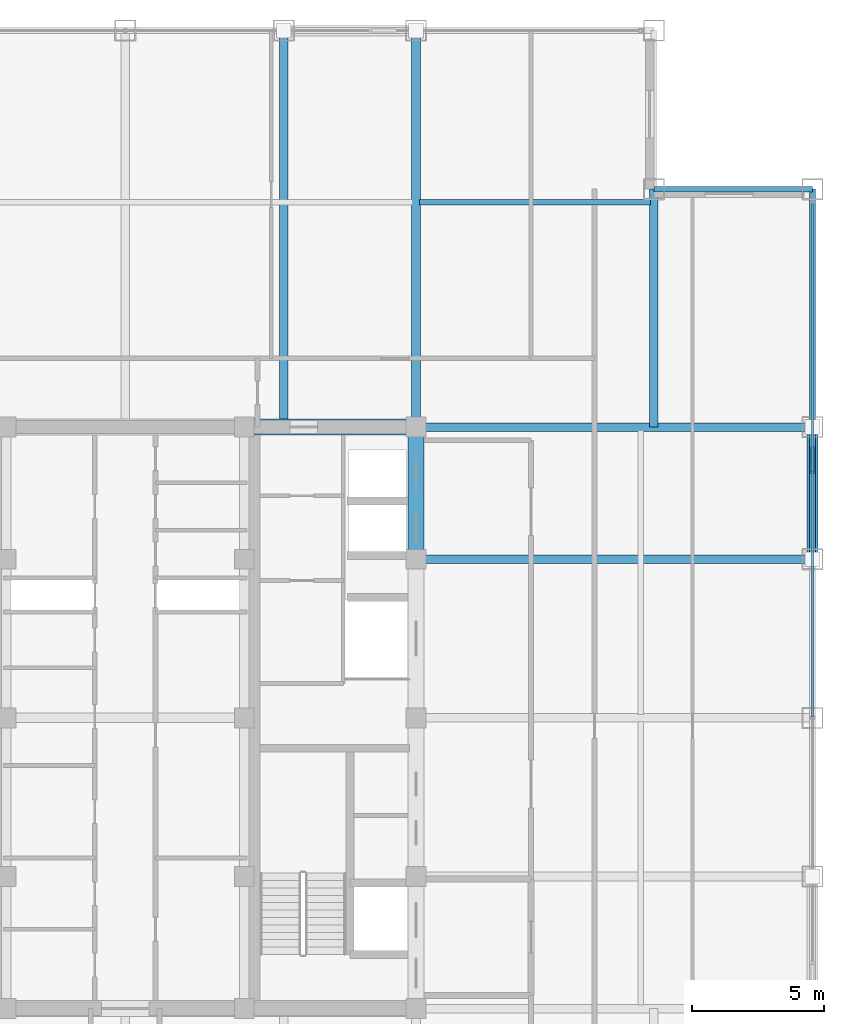
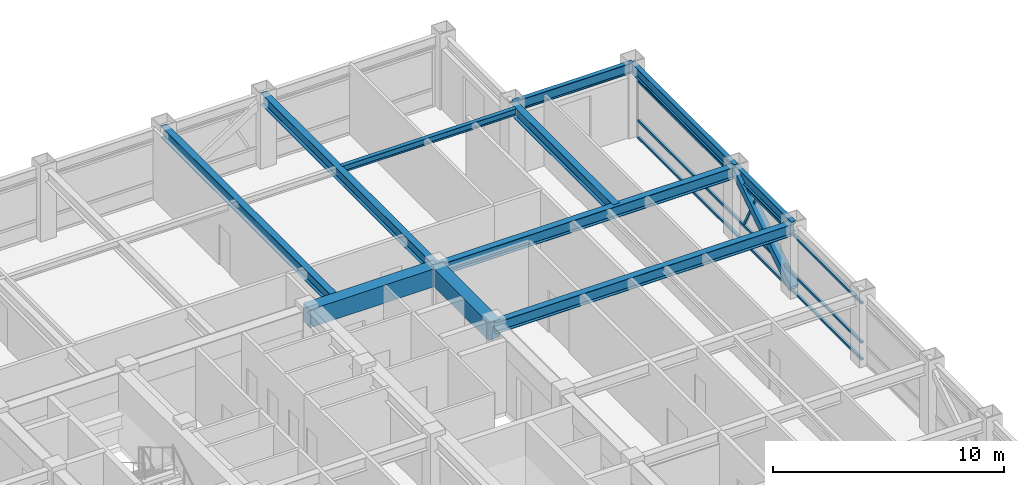
# One storey, part 19 of 28: 11 beams, 5 members, 1 element without a shape of its own.
"""IFC4 building model written with IfcOpenShell, lengths in metres."""

from ifc_helpers import new_model, si_unit, direction, frame, origin, origin_2d, place, context, subcontext, project, spatial, rectangle, hollow_rectangle, i_section, extrude, source, transform, mapped, material, material_profile, profile_set, type_object, element, aggregate, save


model = new_model("IFC4")

# Units and contexts
model_context = context("Model", 3, precision=1e-05, world=origin(), true_north=direction((0.0, 1.0)))
body_context = subcontext(model_context, "Body", "Model", "MODEL_VIEW")
ifc_project = project(units=[si_unit("LENGTHUNIT", "METRE"), si_unit("AREAUNIT", "SQUARE_METRE"), si_unit("VOLUMEUNIT", "CUBIC_METRE"), si_unit("PLANEANGLEUNIT", "RADIAN"), si_unit("MASSUNIT", "GRAM", prefix="KILO")], contexts=[model_context])

# Site, building, storey
site_placement = place(None, origin())
site = spatial("IfcSite", under=ifc_project, at=site_placement, CompositionType="ELEMENT")
building_placement = place(site_placement, origin())
building = spatial("IfcBuilding", under=site, at=building_placement, Name="Khorayat Bourse Tower", CompositionType="ELEMENT")
storey_placement = place(building_placement, frame((0.0, 0.0, 330.300048828125)))
storey = spatial("IfcBuildingStorey", under=building, at=storey_placement, Name="L78", CompositionType="ELEMENT", Elevation=330.300048828125)

# Beams
ifc_material_1 = material(Name="Concrete C60/75", Category="concrete")
ifc_material_profile_1 = material_profile(ifc_material_1, rectangle(XDim=0.60009765625, YDim=0.949951171875, at=origin_2d()), Name="RC 600x950")
ifc_profile_set_1 = profile_set([ifc_material_profile_1], Name="Concrete C60/75")
beam_type_1 = type_object("IfcBeamType", Name="BM-COUP-950", PredefinedType="BEAM", material=ifc_profile_set_1)
shared_shape_1 = source(origin(), body_context, "Body", "SweptSolid", [
    extrude(rectangle(XDim=0.60009765625, YDim=0.949951171875, at=origin_2d()), origin(), (0.0, 0.0, 1.0), 5.0),
])
beam_1_placement = place(storey_placement, frame((11.0, 6.0, 3.264892578125), z_axis=(0.0, 1.0, 0.0), x_axis=(-1.0, 0.0, 0.0)))
element("IfcBeam", 1, at=beam_1_placement, inside=storey, type_object=beam_type_1, Name="L78 BM-COUP-950 BM-L78-CRX-16", PredefinedType="BEAM", context=body_context, shape_type="MappedRepresentation", body=[
    mapped(shared_shape_1, transform((0.0, 0.0, 0.0), scale=1.0)),
])
shared_shape_2 = source(origin(), body_context, "Body", "SweptSolid", [
    extrude(rectangle(XDim=0.60009765625, YDim=0.949951171875, at=origin_2d()), origin(), (0.0, 0.0, 1.0), 6.5),
])
beam_2_placement = place(storey_placement, frame((4.5, 11.0, 3.264892578125), z_axis=(1.0, 0.0, 0.0), x_axis=(0.0, 1.0, 0.0)))
element("IfcBeam", 2, at=beam_2_placement, inside=storey, type_object=beam_type_1, Name="L78 BM-COUP-950 BM-L78-CRY-22", PredefinedType="BEAM", context=body_context, shape_type="MappedRepresentation", body=[
    mapped(shared_shape_2, transform((0.0, 0.0, 0.0), scale=1.0)),
])
ifc_material_2 = material(Name="Steel ASTM A992 Grade 50", Category="steel")
ifc_material_profile_2 = material_profile(ifc_material_2, i_section(OverallWidth=0.214111328125, OverallDepth=0.549072265625, WebThickness=0.0146484375, FlangeThickness=0.023681640625, FilletRadius=0.013916015625, at=origin_2d()), Name="W530X138")
ifc_profile_set_2 = profile_set([ifc_material_profile_2], Name="Steel ASTM A992 Grade 50")
beam_type_2 = type_object("IfcBeamType", Name="BM-SPAN-530", PredefinedType="SPANDREL", material=ifc_profile_set_2)
shared_shape_3 = source(origin(), body_context, "Body", "SweptSolid", [
    extrude(i_section(OverallWidth=0.214111328125, OverallDepth=0.549072265625, WebThickness=0.0146484375, FlangeThickness=0.023681640625, FilletRadius=0.013916015625, at=origin_2d()), origin(), (0.0, 0.0, 1.0), 9.0),
])
beam_3_placement = place(storey_placement, frame((26.0, 11.0, 3.46533203125), z_axis=(0.0, 1.0, 0.0), x_axis=(-1.0, 0.0, 0.0)))
element("IfcBeam", 3, at=beam_3_placement, inside=storey, type_object=beam_type_2, Name="L78 BM-SPAN-530 BM-L78-SPN-037", PredefinedType="SPANDREL", context=body_context, shape_type="MappedRepresentation", body=[
    mapped(shared_shape_3, transform((0.0, 0.0, 0.0), scale=1.0)),
])
shared_shape_4 = source(origin(), body_context, "Body", "SweptSolid", [
    extrude(i_section(OverallWidth=0.214111328125, OverallDepth=0.549072265625, WebThickness=0.0146484375, FlangeThickness=0.023681640625, FilletRadius=0.013916015625, at=origin_2d()), origin(), (0.0, 0.0, 1.0), 5.0),
])
beam_4_placement = place(storey_placement, frame((26.0, 6.0, 3.46533203125), z_axis=(0.0, 1.0, 0.0), x_axis=(-1.0, 0.0, 0.0)))
element("IfcBeam", 4, at=beam_4_placement, inside=storey, type_object=beam_type_2, Name="L78 BM-SPAN-530 BM-L78-SPN-036", PredefinedType="SPANDREL", context=body_context, shape_type="MappedRepresentation", body=[
    mapped(shared_shape_4, transform((0.0, 0.0, 0.0), scale=1.0)),
])
shared_shape_5 = source(origin(), body_context, "Body", "SweptSolid", [
    extrude(i_section(OverallWidth=0.214111328125, OverallDepth=0.549072265625, WebThickness=0.0146484375, FlangeThickness=0.023681640625, FilletRadius=0.013916015625, at=origin_2d()), origin(), (0.0, 0.0, 1.0), 6.0),
])
beam_5_placement = place(storey_placement, frame((20.0, 20.0, 3.46533203125), z_axis=(1.0, 0.0, 0.0), x_axis=(0.0, 1.0, 0.0)))
element("IfcBeam", 5, at=beam_5_placement, inside=storey, type_object=beam_type_2, Name="L78 BM-SPAN-530 BM-L78-SPN-038", PredefinedType="SPANDREL", context=body_context, shape_type="MappedRepresentation", body=[
    mapped(shared_shape_5, transform((0.0, 0.0, 0.0), scale=1.0)),
])
ifc_material_profile_3 = material_profile(ifc_material_2, i_section(OverallWidth=0.324951171875, OverallDepth=0.615966796875, WebThickness=0.013916015625, FlangeThickness=0.021484375, FilletRadius=0.01611328125, at=origin_2d()), Name="W610X174")
ifc_profile_set_3 = profile_set([ifc_material_profile_3], Name="Steel ASTM A992 Grade 50")
beam_type_3 = type_object("IfcBeamType", Name="BM-GIRD-610", PredefinedType="BEAM", material=ifc_profile_set_3)
shared_shape_6 = source(origin(), body_context, "Body", "SweptSolid", [
    extrude(i_section(OverallWidth=0.324951171875, OverallDepth=0.615966796875, WebThickness=0.013916015625, FlangeThickness=0.021484375, FilletRadius=0.01611328125, at=origin_2d()), origin(), (0.0, 0.0, 1.0), 15.0),
])
for number, where, z_axis, x_axis, name in (
    (6, (6.0, 11.0, 3.431884765625), (0.0, 1.0, 0.0), (-1.0, 0.0, 0.0), "L78 BM-GIRD-610 BM-L78-RADY-062"),
    (7, (11.0, 11.0, 3.431884765625), (0.0, 1.0, 0.0), (-1.0, 0.0, 0.0), "L78 BM-GIRD-610 BM-L78-RADY-064"),
    (8, (11.0, 6.0, 3.431884765625), (1.0, 0.0, 0.0), (0.0, 1.0, 0.0), "L78 BM-GIRD-610 BM-L78-RADX-072"),
    (9, (11.0, 11.0, 3.431884765625), (1.0, 0.0, 0.0), (0.0, 1.0, 0.0), "L78 BM-GIRD-610 BM-L78-RADX-074"),
):
    element("IfcBeam", number, at=place(storey_placement, frame(where, z_axis=z_axis, x_axis=x_axis)), inside=storey, type_object=beam_type_3, Name=name, PredefinedType="BEAM", context=body_context, shape_type="MappedRepresentation", body=[
        mapped(shared_shape_6, transform((0.0, 0.0, 0.0), scale=1.0)),
    ])
shared_shape_7 = source(origin(), body_context, "Body", "SweptSolid", [
    extrude(i_section(OverallWidth=0.324951171875, OverallDepth=0.615966796875, WebThickness=0.013916015625, FlangeThickness=0.021484375, FilletRadius=0.01611328125, at=origin_2d()), origin(), (0.0, 0.0, 1.0), 9.0),
])
beam_6_placement = place(storey_placement, frame((20.0, 11.0, 3.431884765625), z_axis=(0.0, 1.0, 0.0), x_axis=(-1.0, 0.0, 0.0)))
element("IfcBeam", 10, at=beam_6_placement, inside=storey, type_object=beam_type_3, Name="L78 BM-GIRD-610 BM-L78-CNRY-079", PredefinedType="BEAM", context=body_context, shape_type="MappedRepresentation", body=[
    mapped(shared_shape_7, transform((0.0, 0.0, 0.0), scale=1.0)),
])
ifc_material_profile_4 = material_profile(ifc_material_2, i_section(OverallWidth=0.202880859375, OverallDepth=0.346923828125, WebThickness=0.0078125, FlangeThickness=0.013427734375, FilletRadius=0.010009765625, at=origin_2d()), Name="W360X64")
ifc_profile_set_4 = profile_set([ifc_material_profile_4], Name="Steel ASTM A992 Grade 50")
beam_type_4 = type_object("IfcBeamType", Name="BM-JOIST-360", PredefinedType="JOIST", material=ifc_profile_set_4)
shared_shape_8 = source(origin(), body_context, "Body", "SweptSolid", [
    extrude(i_section(OverallWidth=0.202880859375, OverallDepth=0.346923828125, WebThickness=0.0078125, FlangeThickness=0.013427734375, FilletRadius=0.010009765625, at=origin_2d()), origin(), (0.0, 0.0, 1.0), 8.740234375),
])
beam_7_placement = place(storey_placement, frame((11.1298828125, 19.5, 3.56640625), z_axis=(1.0, 0.0, 0.0), x_axis=(0.0, 1.0, 0.0)))
element("IfcBeam", 11, at=beam_7_placement, inside=storey, type_object=beam_type_4, Name="L78 BM-JOIST-360 BM-L78-JSTX-085", PredefinedType="JOIST", context=body_context, shape_type="MappedRepresentation", body=[
    mapped(shared_shape_8, transform((0.0, 0.0, 0.0), scale=1.0)),
])

# Member
ifc_material_3 = material(Name="Steel EN 10025-4 S460M", Category="steel")
ifc_material_profile_5 = material_profile(ifc_material_3, hollow_rectangle(XDim=0.39990234375, YDim=0.39990234375, WallThickness=0.02197265625, at=origin_2d()), Name="HSS 400x400x22")
ifc_profile_set_5 = profile_set([ifc_material_profile_5], Name="Steel EN 10025-4 S460M")
member_type_1 = type_object("IfcMemberType", Name="MBR-TUBE-400", PredefinedType="BRACE", material=ifc_profile_set_5)
shared_shape_9 = source(origin(), body_context, "Body", "SweptSolid", [
    extrude(hollow_rectangle(XDim=0.39990234375, YDim=0.39990234375, WallThickness=0.02197265625, at=origin_2d()), origin(), (0.0, 0.0, 1.0), 5.9580078125),
])
member_1_placement = place(storey_placement, frame((26.0, 6.0, 0.25), z_axis=(0.0, 0.839210474455, 0.543806748364), x_axis=(-1.0, 0.0, 0.0)))
element("IfcMember", 12, at=member_1_placement, inside=storey, type_object=member_type_1, Name="L78 Perimeter Tube Brace 08", PredefinedType="BRACE", context=body_context, shape_type="MappedRepresentation", body=[
    mapped(shared_shape_9, transform((0.0, 0.0, 0.0), scale=1.0)),
])

# Curtain wall, members
ifc_material_4 = material(Name="Aluminium EN AW-6063 T6", Category="aluminium")
curtain_wall_type = type_object("IfcCurtainWallType", Name="CW-SYS-04", PredefinedType="NOTDEFINED", material=ifc_material_4)
curtain_wall_placement = place(storey_placement, origin())
curtain_wall = element("IfcCurtainWall", 13, at=curtain_wall_placement, inside=storey, type_object=curtain_wall_type, Name="L78 Curtain Wall CW-L78-E1", PredefinedType="NOTDEFINED")
ifc_material_profile_6 = material_profile(ifc_material_4, hollow_rectangle(XDim=0.1201171875, YDim=0.1201171875, WallThickness=0.0048828125, at=origin_2d()), Name="ALU 120x120x5")
ifc_profile_set_6 = profile_set([ifc_material_profile_6], Name="Aluminium EN AW-6063 T6")
member_type_2 = type_object("IfcMemberType", Name="CWM-DIAG-120", PredefinedType="MULLION", material=ifc_profile_set_6)
shared_shape_10 = source(origin(), body_context, "Body", "SweptSolid", [
    extrude(hollow_rectangle(XDim=0.1201171875, YDim=0.1201171875, WallThickness=0.0048828125, at=origin_2d()), origin(), (0.0, 0.0, 1.0), 2.0341796875),
])
member_2_placement = place(storey_placement, frame((26.0, 10.21875, 1.08984375), z_axis=(0.0, -0.465790950955, 0.884894790361), x_axis=(1.0, 0.0, 0.0)))
member_2 = element("IfcMember", 14, at=member_2_placement, type_object=member_type_2, Name="CW-L78-E1 Faceted Diagonal Mullion 2", PredefinedType="MULLION", context=body_context, shape_type="MappedRepresentation", body=[
    mapped(shared_shape_10, transform((0.0, 0.0, 0.0), scale=1.0)),
])
ifc_material_profile_7 = material_profile(ifc_material_4, hollow_rectangle(XDim=0.1201171875, YDim=0.1201171875, WallThickness=0.0048828125, at=origin_2d()), Name="ALU 120x120x5")
ifc_profile_set_7 = profile_set([ifc_material_profile_7], Name="Aluminium EN AW-6063 T6")
member_type_3 = type_object("IfcMemberType", Name="CWT-HORZ-120", PredefinedType="USERDEFINED", material=ifc_profile_set_7)
shared_shape_11 = source(origin(), body_context, "Body", "SweptSolid", [
    extrude(hollow_rectangle(XDim=0.1201171875, YDim=0.1201171875, WallThickness=0.0048828125, at=origin_2d()), origin(), (0.0, 0.0, 1.0), 19.369873046875),
])
member_3_placement = place(storey_placement, frame((26.0, 0.06005859375, 0.06005859375), z_axis=(0.0, 1.0, 0.0), x_axis=(-1.0, 0.0, 0.0)))
member_3 = element("IfcMember", 15, at=member_3_placement, type_object=member_type_3, Name="CW-L78-E1 Horizontal Transom 2-1", ObjectType="TRANSOM", PredefinedType="USERDEFINED", context=body_context, shape_type="MappedRepresentation", body=[
    mapped(shared_shape_11, transform((0.0, 0.0, 0.0), scale=1.0)),
])
member_4_placement = place(storey_placement, frame((26.0, 0.06005859375, 0.949951171875), z_axis=(0.0, 1.0, 0.0), x_axis=(-1.0, 0.0, 0.0)))
member_4 = element("IfcMember", 16, at=member_4_placement, type_object=member_type_3, Name="CW-L78-E1 Horizontal Transom 2-2", ObjectType="TRANSOM", PredefinedType="USERDEFINED", context=body_context, shape_type="MappedRepresentation", body=[
    mapped(shared_shape_11, transform((0.0, 0.0, 0.0), scale=1.0)),
])
member_5_placement = place(storey_placement, frame((26.0, 0.06005859375, 3.030029296875), z_axis=(0.0, 1.0, 0.0), x_axis=(-1.0, 0.0, 0.0)))
member_5 = element("IfcMember", 17, at=member_5_placement, type_object=member_type_3, Name="CW-L78-E1 Horizontal Transom 2-3", ObjectType="TRANSOM", PredefinedType="USERDEFINED", context=body_context, shape_type="MappedRepresentation", body=[
    mapped(shared_shape_11, transform((0.0, 0.0, 0.0), scale=1.0)),
])
aggregate(curtain_wall, [member_3, member_4, member_5, member_2])

save(model, "model.ifc")
